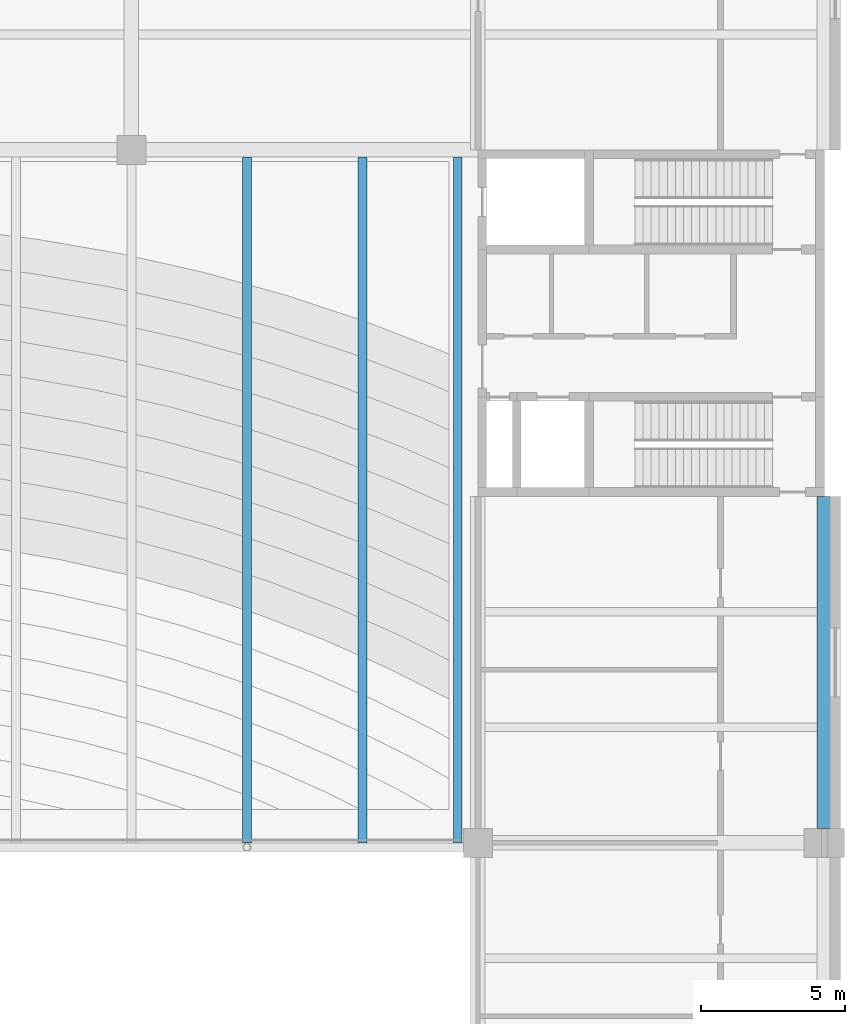
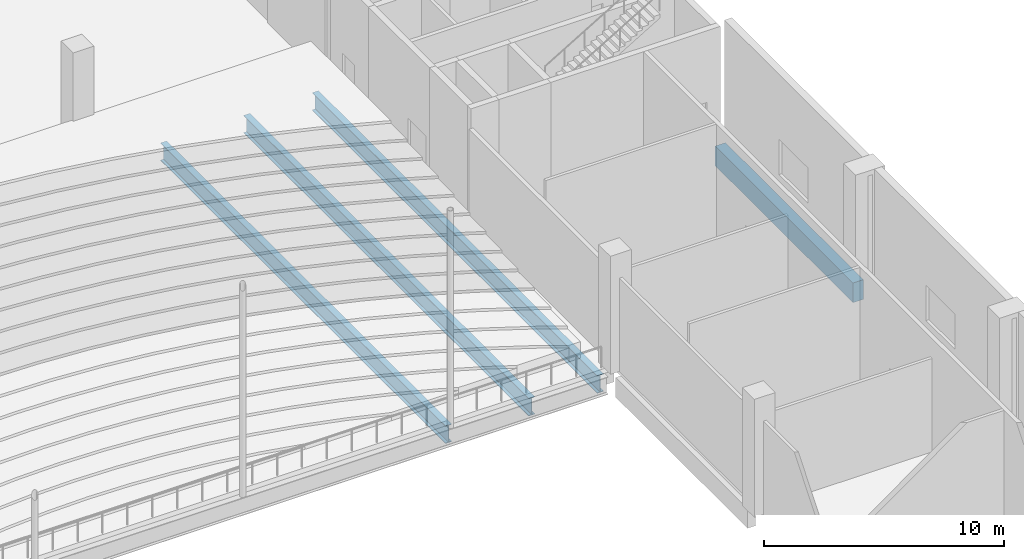
# One storey, part 26 of 72: 4 beams.
"""IFC4 building model written with IfcOpenShell, lengths in metres."""

from ifc_helpers import new_model, si_unit, direction, frame, origin, origin_2d, place, context, subcontext, project, spatial, rectangle, i_section, extrude, material, material_profile, profile_set, type_object, element, save


model = new_model("IFC4")

# Units and contexts
model_context = context("Model", 3, precision=1e-05, world=origin(), true_north=direction((0.0, 1.0)))
body_context = subcontext(model_context, "Body", "Model", "MODEL_VIEW")
ifc_project = project(units=[si_unit("LENGTHUNIT", "METRE"), si_unit("AREAUNIT", "SQUARE_METRE"), si_unit("VOLUMEUNIT", "CUBIC_METRE"), si_unit("PLANEANGLEUNIT", "RADIAN"), si_unit("MASSUNIT", "GRAM", prefix="KILO")], contexts=[model_context])

# Site, building, storey
site_placement = place(None, origin())
site = spatial("IfcSite", under=ifc_project, at=site_placement, CompositionType="ELEMENT")
building_placement = place(site_placement, origin())
building = spatial("IfcBuilding", under=site, at=building_placement, Name="Lilac Gate Convention Centre", CompositionType="ELEMENT")
storey_placement = place(building_placement, frame((0.0, 0.0, 6.0)))
storey = spatial("IfcBuildingStorey", under=building, at=storey_placement, Name="L01", CompositionType="ELEMENT", Elevation=6.0)

# Beams
ifc_material_1 = material(Name="Steel Q355B", Category="steel")
ifc_material_profile_1 = material_profile(ifc_material_1, i_section(OverallWidth=0.300048828125, OverallDepth=0.89990234375, WebThickness=0.01611328125, FlangeThickness=0.028076171875, FilletRadius=0.01806640625, at=origin_2d()), Name="HN900x300x16x28")
ifc_profile_set_1 = profile_set([ifc_material_profile_1], Name="Steel Q355B")
beam_type_1 = type_object("IfcBeamType", Name="Balcony beam HN900x300x16x28", PredefinedType="BEAM", material=ifc_profile_set_1)
for number, where, z_axis, x_axis, name in (
    (1, (70.0, 138.0, -0.699951171875), (0.0, 1.0, 0.0), (-1.0, 0.0, 0.0), "BB1 L01 balcony beam 11"),
    (2, (74.0, 138.0, -0.699951171875), (0.0, 1.0, 0.0), (-1.0, 0.0, 0.0), "BB1 L01 balcony beam 12"),
    (3, (77.300048828125, 138.0, -0.699951171875), (0.0, 1.0, 0.0), (-1.0, 0.0, 0.0), "BB1 L01 balcony beam 13"),
):
    element("IfcBeam", number, at=place(storey_placement, frame(where, z_axis=z_axis, x_axis=x_axis)), inside=storey, type_object=beam_type_1, Name=name, PredefinedType="BEAM", context=body_context, shape_type="SweptSolid", body=[
        extrude(i_section(OverallWidth=0.300048828125, OverallDepth=0.89990234375, WebThickness=0.01611328125, FlangeThickness=0.028076171875, FilletRadius=0.01806640625, at=origin_2d()), origin(), (0.0, 0.0, 1.0), 23.75),
    ])
ifc_material_2 = material(Name="Concrete C40", Category="concrete")
ifc_material_profile_2 = material_profile(ifc_material_2, rectangle(XDim=0.5, YDim=1.0, at=origin_2d()), Name="RC 500x1000")
ifc_profile_set_2 = profile_set([ifc_material_profile_2], Name="Concrete C40")
beam_type_2 = type_object("IfcBeamType", Name="Primary beam 500x1000 C40", PredefinedType="BEAM", material=ifc_profile_set_2)
beam_placement = place(storey_placement, frame((90.0, 138.5, -0.75), z_axis=(0.0, 1.0, 0.0), x_axis=(-1.0, 0.0, 0.0)))
element("IfcBeam", 4, at=beam_placement, inside=storey, type_object=beam_type_2, Name="RB1 L01 8/K-8/L", PredefinedType="BEAM", context=body_context, shape_type="SweptSolid", body=[
    extrude(rectangle(XDim=0.5, YDim=1.0, at=origin_2d()), origin(), (0.0, 0.0, 1.0), 11.5),
])

save(model, "model.ifc")
